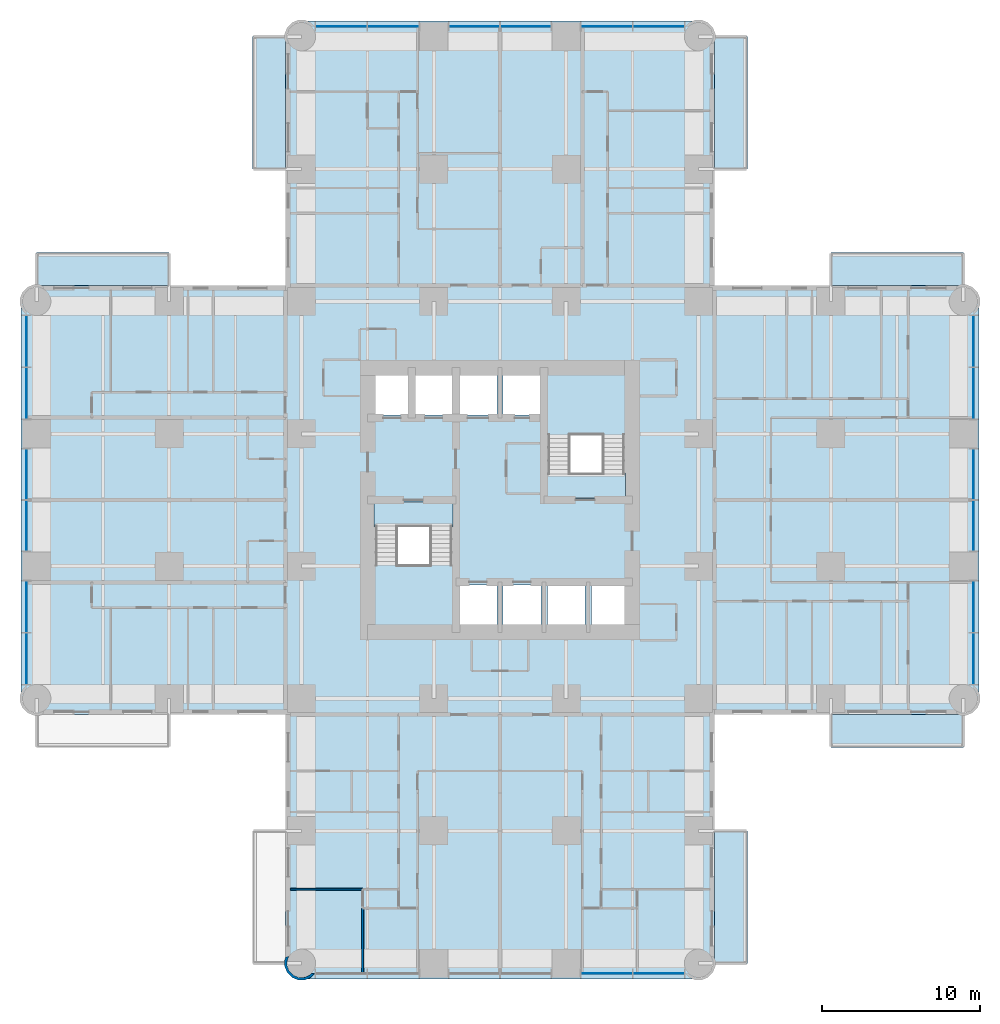
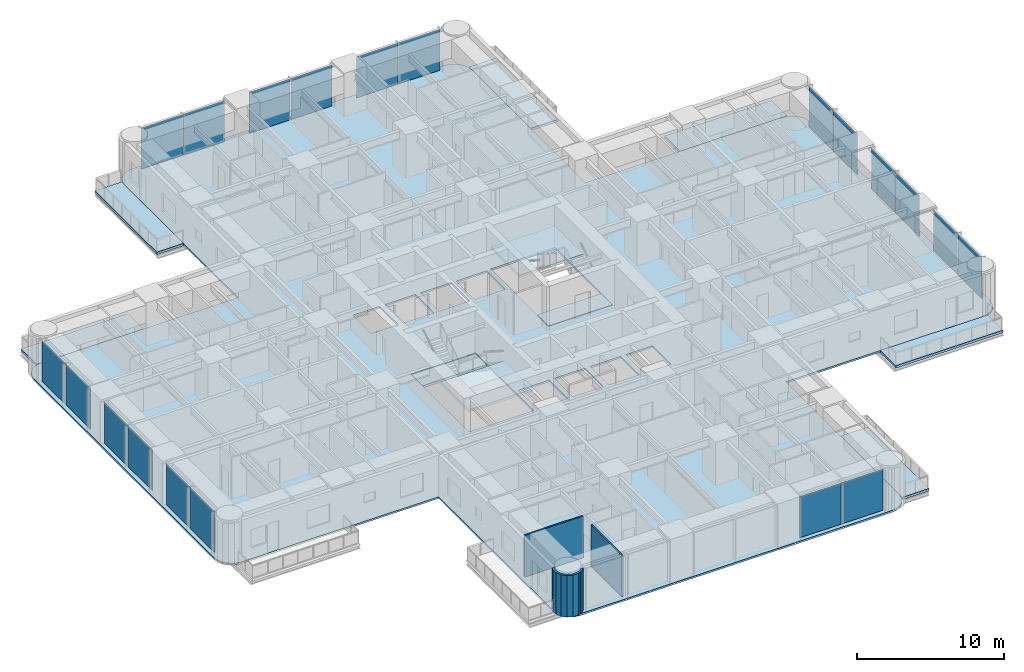
# One storey, part 6 of 17: 20 plates, 11 slabs, 3 walls, 6 elements without a shape of their own.
"""IFC4 building model written with IfcOpenShell, lengths in metres."""

from ifc_helpers import new_model, si_unit, direction, frame, frame_2d, origin, origin_2d, place, context, subcontext, project, spatial, polyline, rectangle, outline, extrude, material, layer, layer_set, type_object, element, aggregate, save


model = new_model("IFC4")

# Units and contexts
model_context = context("Model", 3, precision=1e-05, world=origin(), true_north=direction((0.0, 1.0)))
body_context = subcontext(model_context, "Body", "Model", "MODEL_VIEW")
ifc_project = project(units=[si_unit("LENGTHUNIT", "METRE"), si_unit("AREAUNIT", "SQUARE_METRE"), si_unit("VOLUMEUNIT", "CUBIC_METRE"), si_unit("PLANEANGLEUNIT", "RADIAN"), si_unit("MASSUNIT", "GRAM", prefix="KILO")], contexts=[model_context])

# Site, building, storey
site_placement = place(None, origin())
site = spatial("IfcSite", under=ifc_project, at=site_placement, CompositionType="ELEMENT")
building_placement = place(site_placement, origin())
building = spatial("IfcBuilding", under=site, at=building_placement, Name="Torre Alcanfor", CompositionType="ELEMENT")
storey_placement = place(building_placement, frame((0.0, 0.0, 70.5)))
storey = spatial("IfcBuildingStorey", under=building, at=storey_placement, Name="L17", CompositionType="ELEMENT", Elevation=70.5)

# Slabs
ifc_material_1 = material(Name="Concrete f'c 35 MPa", Category="concrete")
ifc_layer_1 = layer(ifc_material_1, 0.199951171875)
ifc_layer_set_1 = layer_set([ifc_layer_1], Name="Balcony slab 200")
slab_type_1 = type_object("IfcSlabType", Name="Balcony slab 200", PredefinedType="FLOOR", material=ifc_layer_set_1)
slab_1_placement = place(storey_placement, frame((0.0, 0.0, -0.199951171875)))
element("IfcSlab", 1, at=slab_1_placement, inside=storey, type_object=slab_type_1, Name="Balcony L17-N1", PredefinedType="FLOOR", context=body_context, shape_type="SweptSolid", body=[
    extrude(outline(polyline([(15.800048828125, 50.39990234375), (15.800048828125, 58.800048828125), (13.699951171875, 58.800048828125), (13.699951171875, 50.39990234375), (15.800048828125, 50.39990234375)])), origin(), (0.0, 0.0, 1.0), 0.199951171875),
])
slab_2_placement = place(storey_placement, frame((0.0, 0.0, -0.199951171875)))
element("IfcSlab", 2, at=slab_2_placement, inside=storey, type_object=slab_type_1, Name="Balcony L17-N2", PredefinedType="FLOOR", context=body_context, shape_type="SweptSolid", body=[
    extrude(outline(polyline([(45.10009765625, 50.39990234375), (45.10009765625, 58.800048828125), (43.0, 58.800048828125), (43.0, 50.39990234375), (45.10009765625, 50.39990234375)])), origin(), (0.0, 0.0, 1.0), 0.199951171875),
])
slab_3_placement = place(storey_placement, frame((0.0, 0.0, -0.199951171875)))
element("IfcSlab", 3, at=slab_3_placement, inside=storey, type_object=slab_type_1, Name="Balcony L17-E1", PredefinedType="FLOOR", context=body_context, shape_type="SweptSolid", body=[
    extrude(outline(polyline([(50.39990234375, 43.0), (58.800048828125, 43.0), (58.800048828125, 45.10009765625), (50.39990234375, 45.10009765625), (50.39990234375, 43.0)])), origin(), (0.0, 0.0, 1.0), 0.199951171875),
])
slab_4_placement = place(storey_placement, frame((0.0, 0.0, -0.199951171875)))
element("IfcSlab", 4, at=slab_4_placement, inside=storey, type_object=slab_type_1, Name="Balcony L17-E2", PredefinedType="FLOOR", context=body_context, shape_type="SweptSolid", body=[
    extrude(outline(polyline([(50.39990234375, 13.699951171875), (58.800048828125, 13.699951171875), (58.800048828125, 15.800048828125), (50.39990234375, 15.800048828125), (50.39990234375, 13.699951171875)])), origin(), (0.0, 0.0, 1.0), 0.199951171875),
])
slab_5_placement = place(storey_placement, frame((0.0, 0.0, -0.199951171875)))
element("IfcSlab", 5, at=slab_5_placement, inside=storey, type_object=slab_type_1, Name="Balcony L17-S1", PredefinedType="FLOOR", context=body_context, shape_type="SweptSolid", body=[
    extrude(outline(polyline([(43.0, 8.39990234375), (43.0, 0.0), (45.10009765625, 0.0), (45.10009765625, 8.39990234375), (43.0, 8.39990234375)])), origin(), (0.0, 0.0, 1.0), 0.199951171875),
])
slab_6_placement = place(storey_placement, frame((0.0, 0.0, -0.199951171875)))
element("IfcSlab", 6, at=slab_6_placement, inside=storey, type_object=slab_type_1, Name="Balcony L17-W2", PredefinedType="FLOOR", context=body_context, shape_type="SweptSolid", body=[
    extrude(outline(polyline([(8.39990234375, 45.10009765625), (0.0, 45.10009765625), (0.0, 43.0), (8.39990234375, 43.0), (8.39990234375, 45.10009765625)])), origin(), (0.0, 0.0, 1.0), 0.199951171875),
])

# Curtain wall, plates
ifc_material_2 = material(Name="Aluminium and glass", Category="aluminium")
curtain_wall_type = type_object("IfcCurtainWallType", Name="CW-A unitised apartment glazing with vertical FIN", PredefinedType="NOTDEFINED", material=ifc_material_2)
curtain_wall_1_placement = place(storey_placement, origin())
curtain_wall_1 = element("IfcCurtainWall", 7, at=curtain_wall_1_placement, inside=storey, type_object=curtain_wall_type, Name="Curtain wall CW-A L17 2", PredefinedType="NOTDEFINED")
ifc_material_3 = material(Name="Glass", Category="glass")
ifc_layer_2 = layer(ifc_material_3, 0.028076171875)
ifc_layer_set_2 = layer_set([ifc_layer_2], Name="CW-A clear double glazed unit")
plate_type = type_object("IfcPlateType", Name="CW-A clear double glazed unit", PredefinedType="CURTAIN_PANEL", material=ifc_layer_set_2)
plate_1_placement = place(storey_placement, frame((-0.64990234375, 39.484130859375, 0.0), z_axis=(0.0, 0.0, 1.0), x_axis=(0.0, -1.0, 0.0)))
plate_1 = element("IfcPlate", 8, at=plate_1_placement, type_object=plate_type, Name="CW-A panel 1.1.1", PredefinedType="CURTAIN_PANEL", context=body_context, shape_type="SweptSolid", body=[
    extrude(rectangle(XDim=3.232666015625, YDim=0.028076171875, at=origin_2d()), origin(), (0.0, 0.0, 1.0), 3.385009765625),
])
plate_2_placement = place(storey_placement, frame((-0.64990234375, 36.186279296875, 0.0), z_axis=(0.0, 0.0, 1.0), x_axis=(0.0, -1.0, 0.0)))
plate_2 = element("IfcPlate", 9, at=plate_2_placement, type_object=plate_type, Name="CW-A panel 1.2.1", PredefinedType="CURTAIN_PANEL", context=body_context, shape_type="SweptSolid", body=[
    extrude(rectangle(XDim=3.232666015625, YDim=0.028076171875, at=origin_2d()), origin(), (0.0, 0.0, 1.0), 3.385009765625),
])
plate_3_placement = place(storey_placement, frame((-0.64990234375, 31.03125, 0.0), z_axis=(0.0, 0.0, 1.0), x_axis=(0.0, -1.0, 0.0)))
plate_3 = element("IfcPlate", 10, at=plate_3_placement, type_object=plate_type, Name="CW-A panel 2.1.1", PredefinedType="CURTAIN_PANEL", context=body_context, shape_type="SweptSolid", body=[
    extrude(rectangle(XDim=3.197509765625, YDim=0.028076171875, at=origin_2d()), origin(), (0.0, 0.0, 1.0), 3.385009765625),
])
plate_4_placement = place(storey_placement, frame((-0.64990234375, 27.768798828125, 0.0), z_axis=(0.0, 0.0, 1.0), x_axis=(0.0, -1.0, 0.0)))
plate_4 = element("IfcPlate", 11, at=plate_4_placement, type_object=plate_type, Name="CW-A panel 2.2.1", PredefinedType="CURTAIN_PANEL", context=body_context, shape_type="SweptSolid", body=[
    extrude(rectangle(XDim=3.197509765625, YDim=0.028076171875, at=origin_2d()), origin(), (0.0, 0.0, 1.0), 3.385009765625),
])
plate_5_placement = place(storey_placement, frame((-0.64990234375, 22.613525390625, 0.0), z_axis=(0.0, 0.0, 1.0), x_axis=(0.0, -1.0, 0.0)))
plate_5 = element("IfcPlate", 12, at=plate_5_placement, type_object=plate_type, Name="CW-A panel 3.1.1", PredefinedType="CURTAIN_PANEL", context=body_context, shape_type="SweptSolid", body=[
    extrude(rectangle(XDim=3.232666015625, YDim=0.028076171875, at=origin_2d()), origin(), (0.0, 0.0, 1.0), 3.385009765625),
])
plate_6_placement = place(storey_placement, frame((-0.64990234375, 19.31591796875, 0.0), z_axis=(0.0, 0.0, 1.0), x_axis=(0.0, -1.0, 0.0)))
plate_6 = element("IfcPlate", 13, at=plate_6_placement, type_object=plate_type, Name="CW-A panel 3.2.1", PredefinedType="CURTAIN_PANEL", context=body_context, shape_type="SweptSolid", body=[
    extrude(rectangle(XDim=3.232666015625, YDim=0.028076171875, at=origin_2d()), origin(), (0.0, 0.0, 1.0), 3.385009765625),
])
aggregate(curtain_wall_1, [plate_1, plate_2, plate_3, plate_4, plate_5, plate_6])

curtain_wall_2_placement = place(storey_placement, origin())
curtain_wall_2 = element("IfcCurtainWall", 14, at=curtain_wall_2_placement, inside=storey, type_object=curtain_wall_type, Name="Curtain wall CW-A L17 5", PredefinedType="NOTDEFINED")
plate_7_placement = place(storey_placement, frame((36.186279296875, -0.64990234375, 0.0), z_axis=(0.0, 0.0, 1.0), x_axis=(1.0, 0.0, 0.0)))
plate_7 = element("IfcPlate", 15, at=plate_7_placement, type_object=plate_type, Name="CW-A panel 3.1.1", PredefinedType="CURTAIN_PANEL", context=body_context, shape_type="SweptSolid", body=[
    extrude(rectangle(XDim=3.232666015625, YDim=0.028076171875, at=origin_2d()), origin(), (0.0, 0.0, 1.0), 3.385009765625),
])
plate_8_placement = place(storey_placement, frame((39.484130859375, -0.64990234375, 0.0), z_axis=(0.0, 0.0, 1.0), x_axis=(1.0, 0.0, 0.0)))
plate_8 = element("IfcPlate", 16, at=plate_8_placement, type_object=plate_type, Name="CW-A panel 3.2.1", PredefinedType="CURTAIN_PANEL", context=body_context, shape_type="SweptSolid", body=[
    extrude(rectangle(XDim=3.232666015625, YDim=0.028076171875, at=origin_2d()), origin(), (0.0, 0.0, 1.0), 3.385009765625),
])
aggregate(curtain_wall_2, [plate_7, plate_8])

curtain_wall_3_placement = place(storey_placement, origin())
curtain_wall_3 = element("IfcCurtainWall", 17, at=curtain_wall_3_placement, inside=storey, type_object=curtain_wall_type, Name="Curtain wall CW-A L17 8", PredefinedType="NOTDEFINED")
plate_9_placement = place(storey_placement, frame((59.449951171875, 19.31591796875, 0.0), z_axis=(0.0, 0.0, 1.0), x_axis=(0.0, 1.0, 0.0)))
plate_9 = element("IfcPlate", 18, at=plate_9_placement, type_object=plate_type, Name="CW-A panel 1.1.1", PredefinedType="CURTAIN_PANEL", context=body_context, shape_type="SweptSolid", body=[
    extrude(rectangle(XDim=3.232666015625, YDim=0.028076171875, at=origin_2d()), origin(), (0.0, 0.0, 1.0), 3.385009765625),
])
plate_10_placement = place(storey_placement, frame((59.449951171875, 22.613525390625, 0.0), z_axis=(0.0, 0.0, 1.0), x_axis=(0.0, 1.0, 0.0)))
plate_10 = element("IfcPlate", 19, at=plate_10_placement, type_object=plate_type, Name="CW-A panel 1.2.1", PredefinedType="CURTAIN_PANEL", context=body_context, shape_type="SweptSolid", body=[
    extrude(rectangle(XDim=3.232666015625, YDim=0.028076171875, at=origin_2d()), origin(), (0.0, 0.0, 1.0), 3.385009765625),
])
plate_11_placement = place(storey_placement, frame((59.449951171875, 27.768798828125, 0.0), z_axis=(0.0, 0.0, 1.0), x_axis=(0.0, 1.0, 0.0)))
plate_11 = element("IfcPlate", 20, at=plate_11_placement, type_object=plate_type, Name="CW-A panel 2.1.1", PredefinedType="CURTAIN_PANEL", context=body_context, shape_type="SweptSolid", body=[
    extrude(rectangle(XDim=3.197509765625, YDim=0.028076171875, at=origin_2d()), origin(), (0.0, 0.0, 1.0), 3.385009765625),
])
plate_12_placement = place(storey_placement, frame((59.449951171875, 31.03125, 0.0), z_axis=(0.0, 0.0, 1.0), x_axis=(0.0, 1.0, 0.0)))
plate_12 = element("IfcPlate", 21, at=plate_12_placement, type_object=plate_type, Name="CW-A panel 2.2.1", PredefinedType="CURTAIN_PANEL", context=body_context, shape_type="SweptSolid", body=[
    extrude(rectangle(XDim=3.197509765625, YDim=0.028076171875, at=origin_2d()), origin(), (0.0, 0.0, 1.0), 3.385009765625),
])
plate_13_placement = place(storey_placement, frame((59.449951171875, 36.186279296875, 0.0), z_axis=(0.0, 0.0, 1.0), x_axis=(0.0, 1.0, 0.0)))
plate_13 = element("IfcPlate", 22, at=plate_13_placement, type_object=plate_type, Name="CW-A panel 3.1.1", PredefinedType="CURTAIN_PANEL", context=body_context, shape_type="SweptSolid", body=[
    extrude(rectangle(XDim=3.232666015625, YDim=0.028076171875, at=origin_2d()), origin(), (0.0, 0.0, 1.0), 3.385009765625),
])
plate_14_placement = place(storey_placement, frame((59.449951171875, 39.484130859375, 0.0), z_axis=(0.0, 0.0, 1.0), x_axis=(0.0, 1.0, 0.0)))
plate_14 = element("IfcPlate", 23, at=plate_14_placement, type_object=plate_type, Name="CW-A panel 3.2.1", PredefinedType="CURTAIN_PANEL", context=body_context, shape_type="SweptSolid", body=[
    extrude(rectangle(XDim=3.232666015625, YDim=0.028076171875, at=origin_2d()), origin(), (0.0, 0.0, 1.0), 3.385009765625),
])
aggregate(curtain_wall_3, [plate_9, plate_10, plate_11, plate_12, plate_13, plate_14])

curtain_wall_4_placement = place(storey_placement, origin())
curtain_wall_4 = element("IfcCurtainWall", 24, at=curtain_wall_4_placement, inside=storey, type_object=curtain_wall_type, Name="Curtain wall CW-A L17 11", PredefinedType="NOTDEFINED")
plate_15_placement = place(storey_placement, frame((39.484130859375, 59.449951171875, 0.0), z_axis=(0.0, 0.0, 1.0), x_axis=(-1.0, 0.0, 0.0)))
plate_15 = element("IfcPlate", 25, at=plate_15_placement, type_object=plate_type, Name="CW-A panel 1.1.1", PredefinedType="CURTAIN_PANEL", context=body_context, shape_type="SweptSolid", body=[
    extrude(rectangle(XDim=3.232666015625, YDim=0.028076171875, at=origin_2d()), origin(), (0.0, 0.0, 1.0), 3.385009765625),
])
plate_16_placement = place(storey_placement, frame((36.186279296875, 59.449951171875, 0.0), z_axis=(0.0, 0.0, 1.0), x_axis=(-1.0, 0.0, 0.0)))
plate_16 = element("IfcPlate", 26, at=plate_16_placement, type_object=plate_type, Name="CW-A panel 1.2.1", PredefinedType="CURTAIN_PANEL", context=body_context, shape_type="SweptSolid", body=[
    extrude(rectangle(XDim=3.232666015625, YDim=0.028076171875, at=origin_2d()), origin(), (0.0, 0.0, 1.0), 3.385009765625),
])
plate_17_placement = place(storey_placement, frame((31.03125, 59.449951171875, 0.0), z_axis=(0.0, 0.0, 1.0), x_axis=(-1.0, 0.0, 0.0)))
plate_17 = element("IfcPlate", 27, at=plate_17_placement, type_object=plate_type, Name="CW-A panel 2.1.1", PredefinedType="CURTAIN_PANEL", context=body_context, shape_type="SweptSolid", body=[
    extrude(rectangle(XDim=3.197509765625, YDim=0.028076171875, at=origin_2d()), origin(), (0.0, 0.0, 1.0), 3.385009765625),
])
plate_18_placement = place(storey_placement, frame((27.768798828125, 59.449951171875, 0.0), z_axis=(0.0, 0.0, 1.0), x_axis=(-1.0, 0.0, 0.0)))
plate_18 = element("IfcPlate", 28, at=plate_18_placement, type_object=plate_type, Name="CW-A panel 2.2.1", PredefinedType="CURTAIN_PANEL", context=body_context, shape_type="SweptSolid", body=[
    extrude(rectangle(XDim=3.197509765625, YDim=0.028076171875, at=origin_2d()), origin(), (0.0, 0.0, 1.0), 3.385009765625),
])
plate_19_placement = place(storey_placement, frame((22.613525390625, 59.449951171875, 0.0), z_axis=(0.0, 0.0, 1.0), x_axis=(-1.0, 0.0, 0.0)))
plate_19 = element("IfcPlate", 29, at=plate_19_placement, type_object=plate_type, Name="CW-A panel 3.1.1", PredefinedType="CURTAIN_PANEL", context=body_context, shape_type="SweptSolid", body=[
    extrude(rectangle(XDim=3.232666015625, YDim=0.028076171875, at=origin_2d()), origin(), (0.0, 0.0, 1.0), 3.385009765625),
])
plate_20_placement = place(storey_placement, frame((19.31591796875, 59.449951171875, 0.0), z_axis=(0.0, 0.0, 1.0), x_axis=(-1.0, 0.0, 0.0)))
plate_20 = element("IfcPlate", 30, at=plate_20_placement, type_object=plate_type, Name="CW-A panel 3.2.1", PredefinedType="CURTAIN_PANEL", context=body_context, shape_type="SweptSolid", body=[
    extrude(rectangle(XDim=3.232666015625, YDim=0.028076171875, at=origin_2d()), origin(), (0.0, 0.0, 1.0), 3.385009765625),
])
aggregate(curtain_wall_4, [plate_15, plate_16, plate_17, plate_18, plate_19, plate_20])

# Slab
ifc_material_4 = material(Name="Concrete f'c 35 MPa", Category="concrete")
ifc_layer_3 = layer(ifc_material_4, 0.14990234375)
ifc_layer_set_3 = layer_set([ifc_layer_3], Name="Composite floor 150 on metal deck")
slab_type_2 = type_object("IfcSlabType", Name="Composite floor 150 on metal deck", PredefinedType="FLOOR", material=ifc_layer_set_3)
slab_7_placement = place(storey_placement, frame((0.0, 0.0, -0.14990234375)))
element("IfcSlab", 31, at=slab_7_placement, inside=storey, type_object=slab_type_2, Name="Floor slab L17", PredefinedType="FLOOR", context=body_context, shape_type="SweptSolid", body=[
    extrude(outline(polyline([(15.800048828125, 43.0), (0.39990234375, 43.0), (0.03759765625, 42.952392578125), (-0.300048828125, 42.8125), (-0.58984375, 42.58984375), (-0.8125, 42.300048828125), (-0.952392578125, 41.96240234375), (-1.0, 41.60009765625), (-1.0, 17.199951171875), (-0.952392578125, 16.837646484375), (-0.8125, 16.5), (-0.58984375, 16.210205078125), (-0.300048828125, 15.987548828125), (0.03759765625, 15.84765625), (0.39990234375, 15.800048828125), (15.800048828125, 15.800048828125), (15.800048828125, 0.39990234375), (15.84765625, 0.03759765625), (15.987548828125, -0.300048828125), (16.210205078125, -0.58984375), (16.5, -0.8125), (16.837646484375, -0.952392578125), (17.199951171875, -1.0), (41.60009765625, -1.0), (41.96240234375, -0.952392578125), (42.300048828125, -0.8125), (42.58984375, -0.58984375), (42.8125, -0.300048828125), (42.952392578125, 0.03759765625), (43.0, 0.39990234375), (43.0, 15.800048828125), (58.39990234375, 15.800048828125), (58.76220703125, 15.84765625), (59.10009765625, 15.987548828125), (59.389892578125, 16.210205078125), (59.6123046875, 16.5), (59.752197265625, 16.837646484375), (59.800048828125, 17.199951171875), (59.800048828125, 41.60009765625), (59.752197265625, 41.96240234375), (59.6123046875, 42.300048828125), (59.389892578125, 42.58984375), (59.10009765625, 42.8125), (58.76220703125, 42.952392578125), (58.39990234375, 43.0), (43.0, 43.0), (43.0, 58.39990234375), (42.952392578125, 58.76220703125), (42.8125, 59.10009765625), (42.58984375, 59.389892578125), (42.300048828125, 59.6123046875), (41.96240234375, 59.752197265625), (41.60009765625, 59.800048828125), (17.199951171875, 59.800048828125), (16.837646484375, 59.752197265625), (16.5, 59.6123046875), (16.210205078125, 59.389892578125), (15.987548828125, 59.10009765625), (15.84765625, 58.76220703125), (15.800048828125, 58.39990234375), (15.800048828125, 43.0)]), holes=[polyline([(21.419921875, 21.419921875), (26.47998046875, 21.419921875), (26.47998046875, 29.280029296875), (21.419921875, 29.280029296875), (21.419921875, 21.419921875)]), polyline([(32.320068359375, 29.52001953125), (37.3798828125, 29.52001953125), (37.3798828125, 37.3798828125), (32.320068359375, 37.3798828125), (32.320068359375, 29.52001953125)]), polyline([(26.800048828125, 21.5), (29.199951171875, 21.5), (29.199951171875, 24.0), (26.800048828125, 24.0), (26.800048828125, 21.5)]), polyline([(29.60009765625, 21.5), (32.0, 21.5), (32.0, 24.0), (29.60009765625, 24.0), (29.60009765625, 21.5)]), polyline([(32.39990234375, 21.5), (34.800048828125, 21.5), (34.800048828125, 24.0), (32.39990234375, 24.0), (32.39990234375, 21.5)]), polyline([(35.199951171875, 21.5), (37.300048828125, 21.5), (37.300048828125, 24.0), (35.199951171875, 24.0), (35.199951171875, 21.5)]), polyline([(21.5, 34.800048828125), (23.60009765625, 34.800048828125), (23.60009765625, 37.300048828125), (21.5, 37.300048828125), (21.5, 34.800048828125)]), polyline([(24.0, 34.800048828125), (26.39990234375, 34.800048828125), (26.39990234375, 37.300048828125), (24.0, 37.300048828125), (24.0, 34.800048828125)]), polyline([(26.800048828125, 34.800048828125), (29.199951171875, 34.800048828125), (29.199951171875, 37.300048828125), (26.800048828125, 37.300048828125), (26.800048828125, 34.800048828125)]), polyline([(29.60009765625, 34.800048828125), (32.0, 34.800048828125), (32.0, 37.300048828125), (29.60009765625, 37.300048828125), (29.60009765625, 34.800048828125)])]), origin(), (0.0, 0.0, 1.0), 0.14990234375),
])

# Stair, slabs
ifc_material_5 = material(Name="Concrete f'c 35 MPa", Category="concrete")
stair_type_1 = type_object("IfcStairType", Name="Exit stair S1 1400 wide", PredefinedType="HALF_TURN_STAIR", material=ifc_material_5)
stair_1_placement = place(storey_placement, origin())
stair_1 = element("IfcStair", 32, at=stair_1_placement, inside=storey, type_object=stair_type_1, Name="Stair S1 L17 to L18", PredefinedType="HALF_TURN_STAIR")
ifc_material_6 = material(Name="Concrete f'c 35 MPa", Category="concrete")
ifc_layer_4 = layer(ifc_material_6, 0.199951171875)
ifc_layer_set_4 = layer_set([ifc_layer_4], Name="Stair landing 200")
slab_type_3 = type_object("IfcSlabType", Name="Stair landing 200", PredefinedType="LANDING", material=ifc_layer_set_4)
slab_8_placement = place(storey_placement, frame((0.0, 0.0, -0.199951171875)))
slab_8 = element("IfcSlab", 33, at=slab_8_placement, type_object=slab_type_3, Name="S1 landing 1", PredefinedType="LANDING", context=body_context, shape_type="SweptSolid", body=[
    extrude(outline(polyline([(21.419921875, 27.699951171875), (26.429931640625, 27.699951171875), (26.429931640625, 29.22998046875), (21.419921875, 29.22998046875), (21.419921875, 27.699951171875)])), origin(), (0.0, 0.0, 1.0), 0.199951171875),
])
slab_9_placement = place(storey_placement, frame((0.0, 0.0, 1.60009765625)))
slab_9 = element("IfcSlab", 34, at=slab_9_placement, type_object=slab_type_3, Name="S1 landing 2", PredefinedType="LANDING", context=body_context, shape_type="SweptSolid", body=[
    extrude(outline(polyline([(21.419921875, 21.419921875), (26.429931640625, 21.419921875), (26.429931640625, 25.280029296875), (21.419921875, 25.280029296875), (21.419921875, 21.419921875)])), origin(), (0.0, 0.0, 1.0), 0.199951171875),
])
aggregate(stair_1, [slab_8, slab_9])

ifc_material_7 = material(Name="Concrete f'c 35 MPa", Category="concrete")
stair_type_2 = type_object("IfcStairType", Name="Exit stair S2 1400 wide", PredefinedType="HALF_TURN_STAIR", material=ifc_material_7)
stair_2_placement = place(storey_placement, origin())
stair_2 = element("IfcStair", 35, at=stair_2_placement, inside=storey, type_object=stair_type_2, Name="Stair S2 L17 to L18", PredefinedType="HALF_TURN_STAIR")
slab_10_placement = place(storey_placement, frame((0.0, 0.0, -0.199951171875)))
slab_10 = element("IfcSlab", 36, at=slab_10_placement, type_object=slab_type_3, Name="S2 landing 1", PredefinedType="LANDING", context=body_context, shape_type="SweptSolid", body=[
    extrude(outline(polyline([(32.3701171875, 29.570068359375), (37.3798828125, 29.570068359375), (37.3798828125, 31.10009765625), (32.3701171875, 31.10009765625), (32.3701171875, 29.570068359375)])), origin(), (0.0, 0.0, 1.0), 0.199951171875),
])
slab_11_placement = place(storey_placement, frame((0.0, 0.0, 1.60009765625)))
slab_11 = element("IfcSlab", 37, at=slab_11_placement, type_object=slab_type_3, Name="S2 landing 2", PredefinedType="LANDING", context=body_context, shape_type="SweptSolid", body=[
    extrude(outline(polyline([(32.3701171875, 33.52001953125), (37.3798828125, 33.52001953125), (37.3798828125, 37.3798828125), (32.3701171875, 37.3798828125), (32.3701171875, 33.52001953125)])), origin(), (0.0, 0.0, 1.0), 0.199951171875),
])
aggregate(stair_2, [slab_10, slab_11])

# Walls
ifc_material_8 = material(Name="Gypsum board on steel studs", Category="steel")
ifc_layer_5 = layer(ifc_material_8, 0.1201171875)
ifc_layer_set_5 = layer_set([ifc_layer_5], Name="Apartment partition 120")
wall_type_1 = type_object("IfcWallType", Name="Apartment partition 120", PredefinedType="PARTITIONING", material=ifc_layer_set_5)
wall_1_placement = place(storey_placement, frame((20.68603515625, 4.699951171875, 0.0), z_axis=(0.0, 0.0, 1.0), x_axis=(-1.0, 0.0, 0.0)))
element("IfcWall", 38, at=wall_1_placement, inside=storey, type_object=wall_type_1, Name="Partition L17-S2-BED3 / L17-S2-MASTER", PredefinedType="PARTITIONING", context=body_context, shape_type="SweptSolid", body=[
    extrude(rectangle(XDim=4.5859375, YDim=0.1201171875, at=frame_2d((2.29296875, 0.0))), origin(), (0.0, 0.0, 1.0), 3.449951171875),
])
wall_2_placement = place(storey_placement, frame((20.68603515625, -0.64990234375, 0.0), z_axis=(0.0, 0.0, 1.0), x_axis=(0.0, 1.0, 0.0)))
element("IfcWall", 39, at=wall_2_placement, inside=storey, type_object=wall_type_1, Name="Partition L17-S2-BED2 / L17-S2-MASTER", PredefinedType="PARTITIONING", context=body_context, shape_type="SweptSolid", body=[
    extrude(rectangle(XDim=4.14990234375, YDim=0.1201171875, at=frame_2d((2.074951171875, 0.0))), origin(), (0.0, 0.0, 1.0), 3.449951171875),
])
ifc_material_9 = material(Name="Limestone cladding", Category="masonry")
ifc_layer_6 = layer(ifc_material_9, 0.0400390625, Name="Facing")
ifc_material_10 = material(Name="Ventilated air cavity")
ifc_layer_7 = layer(ifc_material_10, 0.02001953125, ventilated=True, Name="Ventilated joint")
ifc_material_11 = material(Name="Mineral wool insulation", Category="insulation")
ifc_layer_8 = layer(ifc_material_11, 0.10009765625, Name="Insulation")
ifc_material_12 = material(Name="Concrete f'c 35 MPa", Category="concrete")
ifc_layer_9 = layer(ifc_material_12, 0.139892578125, Name="Backing")
ifc_layer_set_6 = layer_set([ifc_layer_6, ifc_layer_7, ifc_layer_8, ifc_layer_9], Name="Rounded corner pier stone-clad 300")
wall_type_2 = type_object("IfcWallType", Name="Rounded corner pier stone-clad 300", PredefinedType="SOLIDWALL", material=ifc_layer_set_6)
wall_3_placement = place(storey_placement, frame((15.890092843, 0.363962863, 0.0), z_axis=(0.0, 0.0, 1.0), x_axis=(-0.377204953059, -0.926129809145, 0.0)))
element("IfcWall", 40, at=wall_3_placement, inside=storey, type_object=wall_type_2, Name="Corner pier L17 15", PredefinedType="SOLIDWALL", context=body_context, shape_type="SweptSolid", body=[
    extrude(outline(polyline([(0.36025406326845444, 1.8033251535395152), (0.5088520451897254, 1.7407402151136773), (0.7605729288027181, 1.4858036812916837), (0.8957625945963965, 1.1538802047718164), (0.8938847377533284, 0.7953914035812757), (0.7547773157275899, 0.46510295554213366), (0.4997067670481534, 0.21306387496571194), (0.16778329052828606, 0.07787420917203358), (-0.09994023900030424, 0.0795504548732244), (0.0006804239564057041, -0.09694899646014049), (0.029999294732247404, -0.08026261581225796), (0.19856690358048068, -0.0812004843578153), (0.5888257049928043, 0.07774867310804906), (0.8888185520201115, 0.37418200048294215), (1.0525847078153452, 0.7630186897929918), (1.0551554850896743, 1.184529802966568), (0.896114236570817, 1.5750147102893275), (0.7776681844062314, 1.6949582431572732), (0.7691216165340404, 1.727592391840862), (0.7502462480266835, 1.7228043636692119), (0.599680909195924, 1.8750075573166347), (0.2945300212676607, 2.0035278056043833), (0.2809636666415082, 1.9980023424248052), (0.36025406326845444, 1.8033251535395152)])), origin(), (0.0, 0.0, 1.0), 3.449951171875),
])

save(model, "model.ifc")
